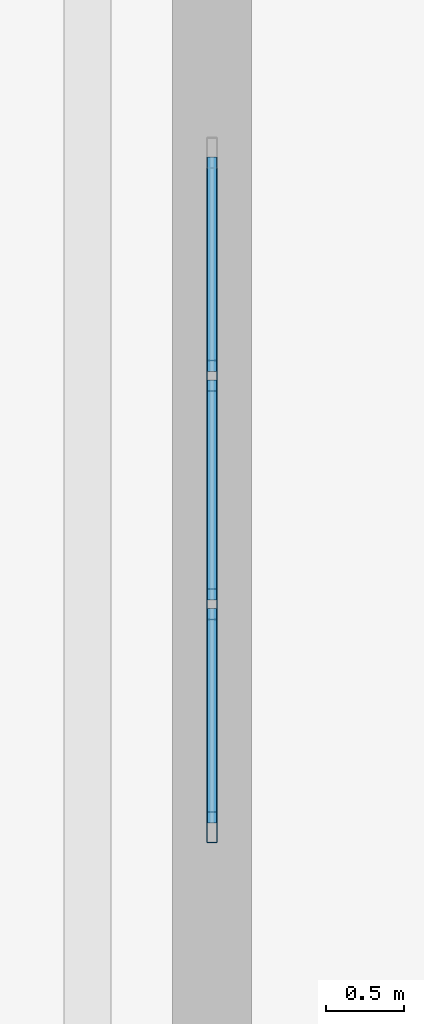
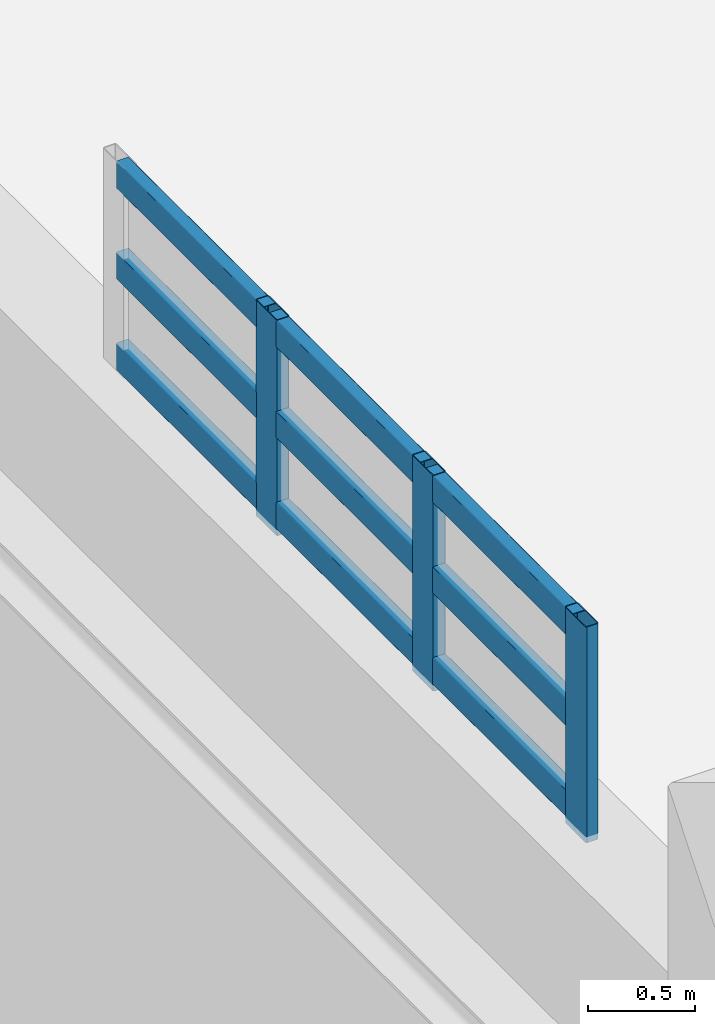
# One storey, part 126 of 197: 12 members, 1 element without a shape of its own.
"""IFC4 building model written with IfcOpenShell, lengths in metres."""

from ifc_helpers import new_model, si_unit, derived_unit, direction, frame, origin, origin_2d, place, context, subcontext, project, spatial, hollow_rectangle, extrude, material, layer, layer_set, material_profile, profile_set, type_object, element, aggregate, save


model = new_model("IFC4")

# Units and contexts
model_context = context("Model", 3, precision=1e-05, world=origin(), true_north=direction((0.0, 1.0)))
body_context = subcontext(model_context, "Body", "Model", "MODEL_VIEW")
ifc_project = project(units=[si_unit("LENGTHUNIT", "METRE"), si_unit("AREAUNIT", "SQUARE_METRE"), si_unit("VOLUMEUNIT", "CUBIC_METRE"), si_unit("PLANEANGLEUNIT", "RADIAN"), si_unit("MASSUNIT", "GRAM", prefix="KILO"), derived_unit("THERMALTRANSMITTANCEUNIT", [(si_unit("POWERUNIT", "WATT"), 1), (si_unit("LENGTHUNIT", "METRE"), -2), (si_unit("THERMODYNAMICTEMPERATUREUNIT", "KELVIN"), -1)])], contexts=[model_context])

# Site, building, storey
site_placement = place(None, origin())
site = spatial("IfcSite", under=ifc_project, at=site_placement, CompositionType="ELEMENT")
building_placement = place(site_placement, origin())
building = spatial("IfcBuilding", under=site, at=building_placement, Name="Almenara Railside Exhibition Hall", CompositionType="ELEMENT")
storey_placement = place(building_placement, frame((0.0, 0.0, 5.39990234375)))
storey = spatial("IfcBuildingStorey", under=building, at=storey_placement, Name="L01", CompositionType="ELEMENT", Elevation=5.39990234375)

# Curtain wall, members
ifc_material_1 = material(Name="Bronze-anodised aluminium and low-E double glazing", Category="aluminium")
ifc_layer = layer(ifc_material_1, 0.179931640625, Name="Bronze-anodised aluminium and low-E double glazing")
ifc_layer_set = layer_set([ifc_layer], Name="Bronze-anodised aluminium and low-E double glazing")
curtain_wall_type = type_object("IfcCurtainWallType", Name="East Hall Clerestory Curtain Wall 4400x2300", PredefinedType="NOTDEFINED", material=ifc_layer_set)
curtain_wall_placement = place(storey_placement, origin())
curtain_wall = element("IfcCurtainWall", 1, at=curtain_wall_placement, inside=storey, type_object=curtain_wall_type, Name="Curtain wall CW-CL3-067", PredefinedType="NOTDEFINED")
ifc_material_2 = material(Name="Bronze-anodised aluminium", Category="aluminium")
ifc_material_profile_1 = material_profile(ifc_material_2, hollow_rectangle(XDim=0.070068359375, YDim=0.199951171875, WallThickness=0.00439453125, InnerFilletRadius=0.00439453125, OuterFilletRadius=0.009033203125, at=origin_2d()), Name="ALU-MUL 70x200x4.5")
ifc_profile_set_1 = profile_set([ifc_material_profile_1], Name="Bronze-anodised aluminium")
member_type_1 = type_object("IfcMemberType", Name="Curtain Wall Mullion 70x200x4.5", PredefinedType="MULLION", material=ifc_profile_set_1)
member_1_placement = place(storey_placement, frame((138.0, 91.8349609375, 5.4150390625), z_axis=(0.0, 0.0, 1.0), x_axis=(-1.0, 0.0, 0.0)))
member_1 = element("IfcMember", 2, at=member_1_placement, type_object=member_type_1, Name="CW-CL3-067 mullion 1", PredefinedType="MULLION", context=body_context, shape_type="SweptSolid", body=[
    extrude(hollow_rectangle(XDim=0.070068359375, YDim=0.199951171875, WallThickness=0.00439453125, InnerFilletRadius=0.00439453125, OuterFilletRadius=0.009033203125, at=origin_2d()), origin(), (0.0, 0.0, 1.0), 1.235107421875),
])
member_2_placement = place(storey_placement, frame((138.0, 93.2666015625, 5.4150390625), z_axis=(0.0, 0.0, 1.0), x_axis=(-1.0, 0.0, 0.0)))
member_2 = element("IfcMember", 3, at=member_2_placement, type_object=member_type_1, Name="CW-CL3-067 mullion 2", PredefinedType="MULLION", context=body_context, shape_type="SweptSolid", body=[
    extrude(hollow_rectangle(XDim=0.070068359375, YDim=0.199951171875, WallThickness=0.00439453125, InnerFilletRadius=0.00439453125, OuterFilletRadius=0.009033203125, at=origin_2d()), origin(), (0.0, 0.0, 1.0), 1.235107421875),
])
member_3_placement = place(storey_placement, frame((138.0, 94.7333984375, 5.4150390625), z_axis=(0.0, 0.0, 1.0), x_axis=(-1.0, 0.0, 0.0)))
member_3 = element("IfcMember", 4, at=member_3_placement, type_object=member_type_1, Name="CW-CL3-067 mullion 3", PredefinedType="MULLION", context=body_context, shape_type="SweptSolid", body=[
    extrude(hollow_rectangle(XDim=0.070068359375, YDim=0.199951171875, WallThickness=0.00439453125, InnerFilletRadius=0.00439453125, OuterFilletRadius=0.009033203125, at=origin_2d()), origin(), (0.0, 0.0, 1.0), 1.235107421875),
])
ifc_material_profile_2 = material_profile(ifc_material_2, hollow_rectangle(XDim=0.070068359375, YDim=0.159912109375, WallThickness=0.00390625, InnerFilletRadius=0.00390625, OuterFilletRadius=0.008056640625, at=origin_2d()), Name="ALU-TRN 70x160x4")
ifc_profile_set_2 = profile_set([ifc_material_profile_2], Name="Bronze-anodised aluminium")
member_type_2 = type_object("IfcMemberType", Name="Curtain Wall Transom 70x160x4", PredefinedType="USERDEFINED", material=ifc_profile_set_2)
member_4_placement = place(storey_placement, frame((138.0, 91.862060546875, 5.530029296875), z_axis=(0.0, 1.0, 0.0), x_axis=(-1.0, 0.0, 0.0)))
member_4 = element("IfcMember", 5, at=member_4_placement, type_object=member_type_2, Name="CW-CL3-067 transom 1.1", ObjectType="TRANSOM", PredefinedType="USERDEFINED", context=body_context, shape_type="SweptSolid", body=[
    extrude(hollow_rectangle(XDim=0.070068359375, YDim=0.159912109375, WallThickness=0.00390625, InnerFilletRadius=0.00390625, OuterFilletRadius=0.008056640625, at=origin_2d()), origin(), (0.0, 0.0, 1.0), 1.377685546875),
])
member_5_placement = place(storey_placement, frame((138.0, 91.862060546875, 6.050048828125), z_axis=(0.0, 1.0, 0.0), x_axis=(-1.0, 0.0, 0.0)))
member_5 = element("IfcMember", 6, at=member_5_placement, type_object=member_type_2, Name="CW-CL3-067 transom 1.2", ObjectType="TRANSOM", PredefinedType="USERDEFINED", context=body_context, shape_type="SweptSolid", body=[
    extrude(hollow_rectangle(XDim=0.070068359375, YDim=0.159912109375, WallThickness=0.00390625, InnerFilletRadius=0.00390625, OuterFilletRadius=0.008056640625, at=origin_2d()), origin(), (0.0, 0.0, 1.0), 1.377685546875),
])
member_6_placement = place(storey_placement, frame((138.0, 91.862060546875, 6.570068359375), z_axis=(0.0, 1.0, 0.0), x_axis=(-1.0, 0.0, 0.0)))
member_6 = element("IfcMember", 7, at=member_6_placement, type_object=member_type_2, Name="CW-CL3-067 transom 1.3", ObjectType="TRANSOM", PredefinedType="USERDEFINED", context=body_context, shape_type="SweptSolid", body=[
    extrude(hollow_rectangle(XDim=0.070068359375, YDim=0.159912109375, WallThickness=0.00390625, InnerFilletRadius=0.00390625, OuterFilletRadius=0.008056640625, at=origin_2d()), origin(), (0.0, 0.0, 1.0), 1.377685546875),
])
member_7_placement = place(storey_placement, frame((138.0, 93.293701171875, 5.530029296875), z_axis=(0.0, 1.0, 0.0), x_axis=(-1.0, 0.0, 0.0)))
member_7 = element("IfcMember", 8, at=member_7_placement, type_object=member_type_2, Name="CW-CL3-067 transom 2.1", ObjectType="TRANSOM", PredefinedType="USERDEFINED", context=body_context, shape_type="SweptSolid", body=[
    extrude(hollow_rectangle(XDim=0.070068359375, YDim=0.159912109375, WallThickness=0.00390625, InnerFilletRadius=0.00390625, OuterFilletRadius=0.008056640625, at=origin_2d()), origin(), (0.0, 0.0, 1.0), 1.41259765625),
])
member_8_placement = place(storey_placement, frame((138.0, 93.293701171875, 6.050048828125), z_axis=(0.0, 1.0, 0.0), x_axis=(-1.0, 0.0, 0.0)))
member_8 = element("IfcMember", 9, at=member_8_placement, type_object=member_type_2, Name="CW-CL3-067 transom 2.2", ObjectType="TRANSOM", PredefinedType="USERDEFINED", context=body_context, shape_type="SweptSolid", body=[
    extrude(hollow_rectangle(XDim=0.070068359375, YDim=0.159912109375, WallThickness=0.00390625, InnerFilletRadius=0.00390625, OuterFilletRadius=0.008056640625, at=origin_2d()), origin(), (0.0, 0.0, 1.0), 1.41259765625),
])
member_9_placement = place(storey_placement, frame((138.0, 93.293701171875, 6.570068359375), z_axis=(0.0, 1.0, 0.0), x_axis=(-1.0, 0.0, 0.0)))
member_9 = element("IfcMember", 10, at=member_9_placement, type_object=member_type_2, Name="CW-CL3-067 transom 2.3", ObjectType="TRANSOM", PredefinedType="USERDEFINED", context=body_context, shape_type="SweptSolid", body=[
    extrude(hollow_rectangle(XDim=0.070068359375, YDim=0.159912109375, WallThickness=0.00390625, InnerFilletRadius=0.00390625, OuterFilletRadius=0.008056640625, at=origin_2d()), origin(), (0.0, 0.0, 1.0), 1.41259765625),
])
member_10_placement = place(storey_placement, frame((138.0, 94.76025390625, 5.530029296875), z_axis=(0.0, 1.0, 0.0), x_axis=(-1.0, 0.0, 0.0)))
member_10 = element("IfcMember", 11, at=member_10_placement, type_object=member_type_2, Name="CW-CL3-067 transom 3.1", ObjectType="TRANSOM", PredefinedType="USERDEFINED", context=body_context, shape_type="SweptSolid", body=[
    extrude(hollow_rectangle(XDim=0.070068359375, YDim=0.159912109375, WallThickness=0.00390625, InnerFilletRadius=0.00390625, OuterFilletRadius=0.008056640625, at=origin_2d()), origin(), (0.0, 0.0, 1.0), 1.377685546875),
])
member_11_placement = place(storey_placement, frame((138.0, 94.76025390625, 6.050048828125), z_axis=(0.0, 1.0, 0.0), x_axis=(-1.0, 0.0, 0.0)))
member_11 = element("IfcMember", 12, at=member_11_placement, type_object=member_type_2, Name="CW-CL3-067 transom 3.2", ObjectType="TRANSOM", PredefinedType="USERDEFINED", context=body_context, shape_type="SweptSolid", body=[
    extrude(hollow_rectangle(XDim=0.070068359375, YDim=0.159912109375, WallThickness=0.00390625, InnerFilletRadius=0.00390625, OuterFilletRadius=0.008056640625, at=origin_2d()), origin(), (0.0, 0.0, 1.0), 1.377685546875),
])
member_12_placement = place(storey_placement, frame((138.0, 94.76025390625, 6.570068359375), z_axis=(0.0, 1.0, 0.0), x_axis=(-1.0, 0.0, 0.0)))
member_12 = element("IfcMember", 13, at=member_12_placement, type_object=member_type_2, Name="CW-CL3-067 transom 3.3", ObjectType="TRANSOM", PredefinedType="USERDEFINED", context=body_context, shape_type="SweptSolid", body=[
    extrude(hollow_rectangle(XDim=0.070068359375, YDim=0.159912109375, WallThickness=0.00390625, InnerFilletRadius=0.00390625, OuterFilletRadius=0.008056640625, at=origin_2d()), origin(), (0.0, 0.0, 1.0), 1.377685546875),
])
aggregate(curtain_wall, [member_1, member_2, member_3, member_4, member_5, member_6, member_7, member_8, member_9, member_10, member_11, member_12])

save(model, "model.ifc")
